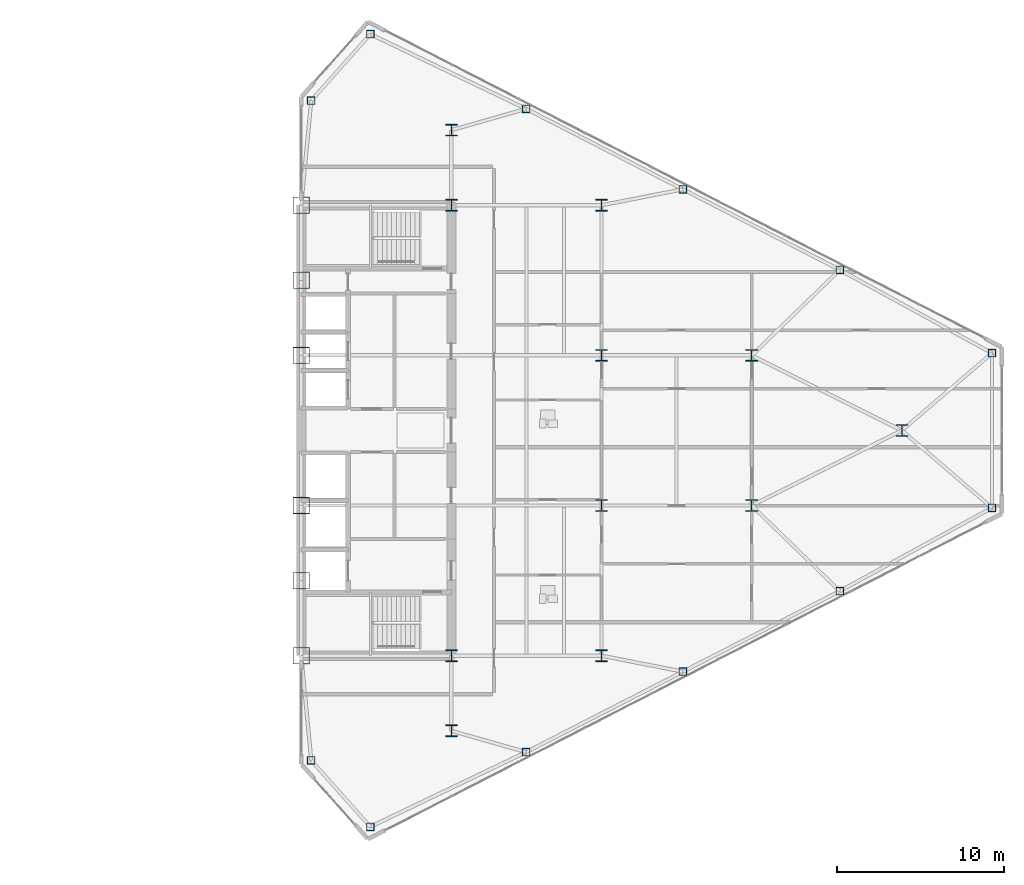
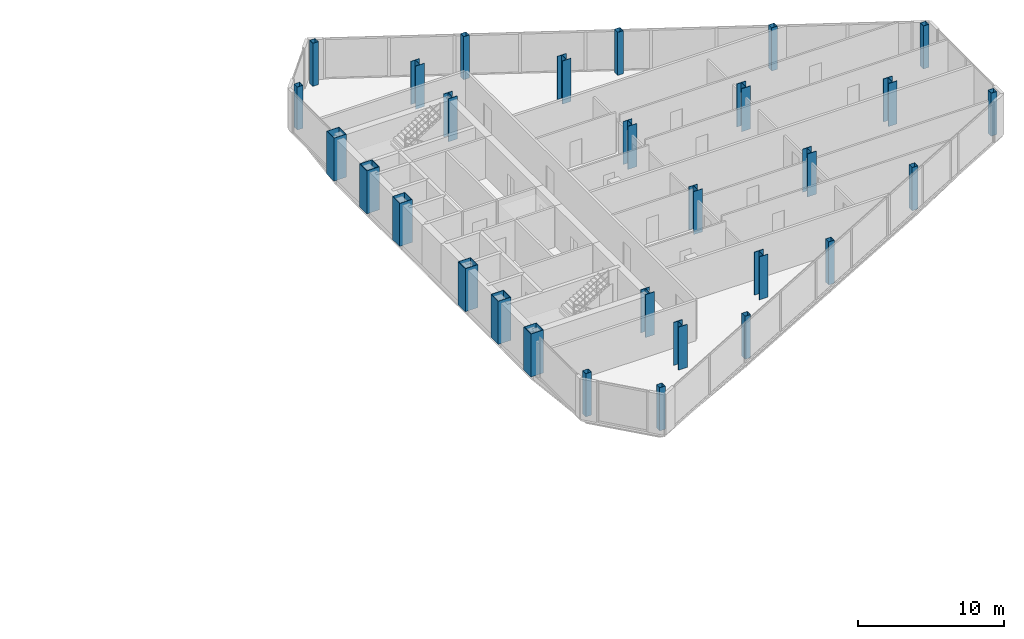
# One storey, part 2 of 24: 29 columns.
"""IFC4 building model written with IfcOpenShell, lengths in metres."""

from ifc_helpers import new_model, si_unit, direction, frame, origin, origin_2d, place, context, subcontext, project, spatial, hollow_rectangle, i_section, extrude, source, transform, mapped, material, material_profile, profile_set, type_object, type_shapes, element, save


model = new_model("IFC4")

# Units and contexts
model_context = context("Model", 3, precision=1e-05, world=origin(), true_north=direction((0.0, 1.0)))
body_context = subcontext(model_context, "Body", "Model", "MODEL_VIEW")
ifc_project = project(units=[si_unit("LENGTHUNIT", "METRE"), si_unit("AREAUNIT", "SQUARE_METRE"), si_unit("VOLUMEUNIT", "CUBIC_METRE"), si_unit("PLANEANGLEUNIT", "RADIAN"), si_unit("MASSUNIT", "GRAM", prefix="KILO")], contexts=[model_context])

# Site, building, storey
site_placement = place(None, origin())
site = spatial("IfcSite", under=ifc_project, at=site_placement, CompositionType="ELEMENT")
building_placement = place(site_placement, origin())
building = spatial("IfcBuilding", under=site, at=building_placement, Name="Seokmaru Belvedere", CompositionType="ELEMENT")
storey_placement = place(building_placement, frame((0.0, 0.0, 140.39990234375)))
storey = spatial("IfcBuildingStorey", under=building, at=storey_placement, Name="L37", CompositionType="ELEMENT", Elevation=140.39990234375)

# Columns
ifc_material_1 = material(Name="Steel HSA650 (650 MPa)", Category="steel")
ifc_material_profile_1 = material_profile(ifc_material_1, hollow_rectangle(XDim=1.0, YDim=1.0, WallThickness=0.0419921875, at=origin_2d()), Name="BOX-1000x1000x42")
ifc_profile_set_1 = profile_set([ifc_material_profile_1], Name="Steel HSA650 (650 MPa)")
column_type_1 = type_object("IfcColumnType", Name="Portal Spine Column BOX-1000", PredefinedType="COLUMN", material=ifc_profile_set_1)
shared_shape_1 = source(origin(), body_context, "Body", "SweptSolid", [
    extrude(hollow_rectangle(XDim=1.0, YDim=1.0, WallThickness=0.0419921875, at=origin_2d()), origin(), (0.0, 0.0, 1.0), 3.60009765625),
])
type_shapes(column_type_1, [shared_shape_1])
for number, where, z_axis, x_axis, name in (
    (1, (27.5, -13.5, 0.0), (0.0, 0.0, 1.0), (1.0, 0.0, 0.0), "L37 Column ES1"),
    (2, (27.5, -9.0, 0.0), (0.0, 0.0, 1.0), (1.0, 0.0, 0.0), "L37 Column ES2"),
    (3, (27.5, -4.5, 0.0), (0.0, 0.0, 1.0), (1.0, 0.0, 0.0), "L37 Column ES3"),
    (4, (27.5, 4.5, 0.0), (0.0, 0.0, 1.0), (1.0, 0.0, 0.0), "L37 Column ES4"),
    (5, (27.5, 9.0, 0.0), (0.0, 0.0, 1.0), (1.0, 0.0, 0.0), "L37 Column ES5"),
    (6, (27.5, 13.5, 0.0), (0.0, 0.0, 1.0), (1.0, 0.0, 0.0), "L37 Column ES6"),
):
    element("IfcColumn", number, at=place(storey_placement, frame(where, z_axis=z_axis, x_axis=x_axis)), inside=storey, type_object=column_type_1, Name=name, PredefinedType="COLUMN", context=body_context, shape_type="MappedRepresentation", body=[
        mapped(shared_shape_1, transform((0.0, 0.0, 0.0), scale=1.0)),
    ])
ifc_material_2 = material(Name="Steel SM355 (355 MPa)", Category="steel")
ifc_material_profile_2 = material_profile(ifc_material_2, i_section(OverallWidth=0.699951171875, OverallDepth=0.699951171875, WebThickness=0.028076171875, FlangeThickness=0.044921875, at=origin_2d()), Name="H-700x700x28x45")
ifc_profile_set_2 = profile_set([ifc_material_profile_2], Name="Steel SM355 (355 MPa)")
column_type_2 = type_object("IfcColumnType", Name="Mid Interior Column H-700", PredefinedType="COLUMN", material=ifc_profile_set_2)
shared_shape_2 = source(origin(), body_context, "Body", "SweptSolid", [
    extrude(i_section(OverallWidth=0.699951171875, OverallDepth=0.699951171875, WebThickness=0.028076171875, FlangeThickness=0.044921875, at=origin_2d()), origin(), (0.0, 0.0, 1.0), 3.60009765625),
])
type_shapes(column_type_2, [shared_shape_2])
for number, where, z_axis, x_axis, name in (
    (7, (36.5, -18.0, 0.0), (0.0, 0.0, 1.0), (1.0, 0.0, 0.0), "L37 Column EC1"),
    (8, (36.5, -13.5, 0.0), (0.0, 0.0, 1.0), (1.0, 0.0, 0.0), "L37 Column EC2"),
    (9, (36.5, 13.5, 0.0), (0.0, 0.0, 1.0), (1.0, 0.0, 0.0), "L37 Column EC3"),
    (10, (36.5, 18.0, 0.0), (0.0, 0.0, 1.0), (1.0, 0.0, 0.0), "L37 Column EC4"),
    (11, (45.5, -13.5, 0.0), (0.0, 0.0, 1.0), (1.0, 0.0, 0.0), "L37 Column EG5_1"),
    (12, (45.5, -4.5, 0.0), (0.0, 0.0, 1.0), (1.0, 0.0, 0.0), "L37 Column EG5_2"),
    (13, (45.5, 4.5, 0.0), (0.0, 0.0, 1.0), (1.0, 0.0, 0.0), "L37 Column EG5_3"),
    (14, (45.5, 13.5, 0.0), (0.0, 0.0, 1.0), (1.0, 0.0, 0.0), "L37 Column EG5_4"),
    (15, (54.5, -4.5, 0.0), (0.0, 0.0, 1.0), (1.0, 0.0, 0.0), "L37 Column EG4P_1"),
    (16, (54.5, 4.5, 0.0), (0.0, 0.0, 1.0), (1.0, 0.0, 0.0), "L37 Column EG4P_2"),
    (17, (63.5, 0.0, 0.0), (0.0, 0.0, 1.0), (1.0, 0.0, 0.0), "L37 Column EG3P_1"),
):
    element("IfcColumn", number, at=place(storey_placement, frame(where, z_axis=z_axis, x_axis=x_axis)), inside=storey, type_object=column_type_2, Name=name, PredefinedType="COLUMN", context=body_context, shape_type="MappedRepresentation", body=[
        mapped(shared_shape_2, transform((0.0, 0.0, 0.0), scale=1.0)),
    ])
ifc_material_profile_3 = material_profile(ifc_material_2, hollow_rectangle(XDim=0.449951171875, YDim=0.449951171875, WallThickness=0.01806640625, at=origin_2d()), Name="HSS-450x450x18")
ifc_profile_set_3 = profile_set([ifc_material_profile_3], Name="Steel SM355 (355 MPa)")
column_type_3 = type_object("IfcColumnType", Name="Perimeter Facet Column HSS-450", PredefinedType="COLUMN", material=ifc_profile_set_3)
shared_shape_3 = source(origin(), body_context, "Body", "SweptSolid", [
    extrude(hollow_rectangle(XDim=0.449951171875, YDim=0.449951171875, WallThickness=0.01806640625, at=origin_2d()), origin(), (0.0, 0.0, 1.0), 3.60009765625),
])
type_shapes(column_type_3, [shared_shape_3])
for number, where, z_axis, x_axis, name in (
    (18, (31.6396484375, -23.75390625, 0.0), (0.0, 0.0, 1.0), (1.0, 0.0, 0.0), "L37 Column EF1"),
    (19, (68.89990234375, -4.633544921875, 0.0), (0.0, 0.0, 1.0), (1.0, 0.0, 0.0), "L37 Column EF2"),
    (20, (68.89990234375, 4.633544921875, 0.0), (0.0, 0.0, 1.0), (1.0, 0.0, 0.0), "L37 Column EF3"),
    (21, (31.6396484375, 23.75390625, 0.0), (0.0, 0.0, 1.0), (1.0, 0.0, 0.0), "L37 Column EF4"),
    (22, (28.10009765625, 19.77197265625, 0.0), (0.0, 0.0, 1.0), (1.0, 0.0, 0.0), "L37 Column EF5"),
    (23, (28.10009765625, -19.77197265625, 0.0), (0.0, 0.0, 1.0), (1.0, 0.0, 0.0), "L37 Column EF6"),
    (24, (40.975830078125, -19.277587890625, 0.0), (0.0, 0.0, 1.0), (1.0, 0.0, 0.0), "L37 Column EFLK_S1"),
    (25, (50.377197265625, -14.453369140625, 0.0), (0.0, 0.0, 1.0), (1.0, 0.0, 0.0), "L37 Column EFLK_S2"),
    (26, (59.778564453125, -9.62890625, 0.0), (0.0, 0.0, 1.0), (1.0, 0.0, 0.0), "L37 Column EFLK_S3"),
    (27, (40.975830078125, 19.277587890625, 0.0), (0.0, 0.0, 1.0), (1.0, 0.0, 0.0), "L37 Column EFLK_N1"),
    (28, (50.377197265625, 14.453369140625, 0.0), (0.0, 0.0, 1.0), (1.0, 0.0, 0.0), "L37 Column EFLK_N2"),
    (29, (59.778564453125, 9.62890625, 0.0), (0.0, 0.0, 1.0), (1.0, 0.0, 0.0), "L37 Column EFLK_N3"),
):
    element("IfcColumn", number, at=place(storey_placement, frame(where, z_axis=z_axis, x_axis=x_axis)), inside=storey, type_object=column_type_3, Name=name, PredefinedType="COLUMN", context=body_context, shape_type="MappedRepresentation", body=[
        mapped(shared_shape_3, transform((0.0, 0.0, 0.0), scale=1.0)),
    ])

save(model, "model.ifc")
